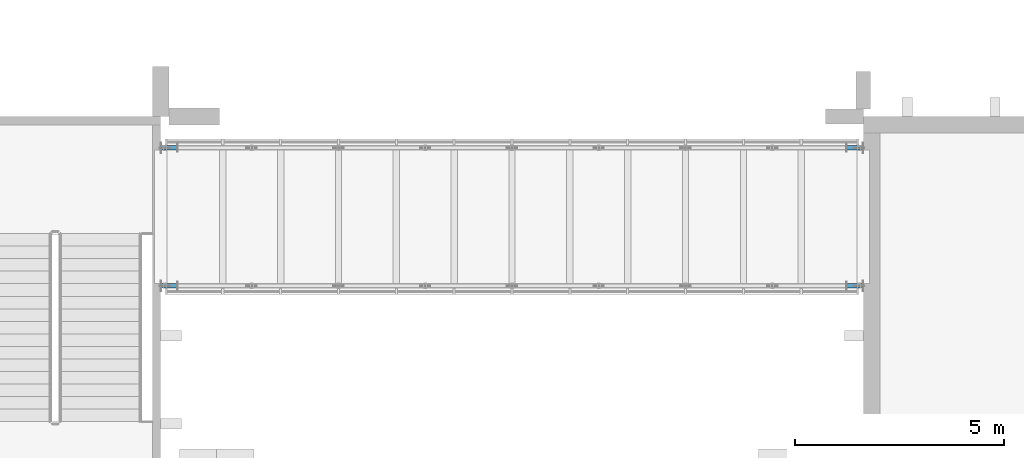
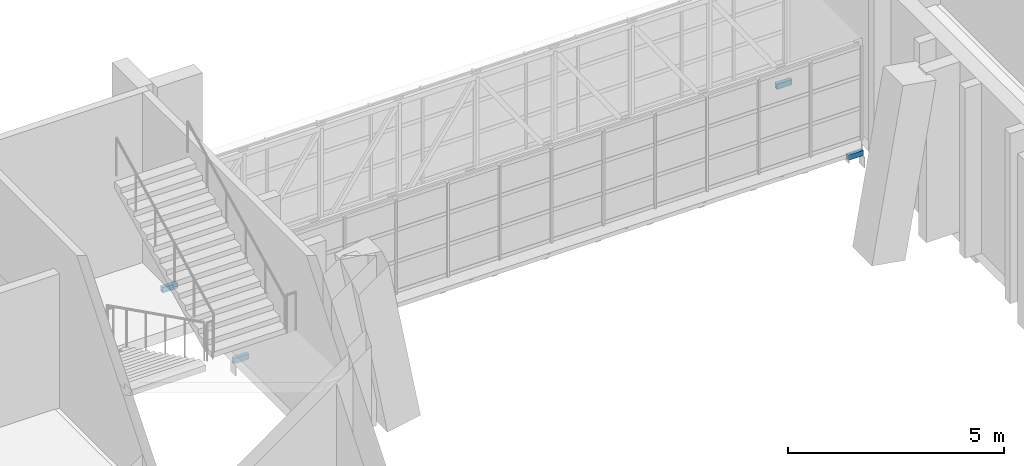
# One storey, part 19 of 91: 4 beams.
"""IFC4 building model written with IfcOpenShell, lengths in metres."""

from ifc_helpers import new_model, si_unit, direction, frame, origin, origin_2d, place, context, subcontext, project, spatial, hollow_rectangle, extrude, material, material_profile, profile_set, type_object, element, save


model = new_model("IFC4")

# Units and contexts
model_context = context("Model", 3, precision=1e-05, world=origin(), true_north=direction((0.0, 1.0)))
body_context = subcontext(model_context, "Body", "Model", "MODEL_VIEW")
ifc_project = project(units=[si_unit("LENGTHUNIT", "METRE"), si_unit("AREAUNIT", "SQUARE_METRE"), si_unit("VOLUMEUNIT", "CUBIC_METRE"), si_unit("PLANEANGLEUNIT", "RADIAN"), si_unit("MASSUNIT", "GRAM", prefix="KILO")], contexts=[model_context])

# Site, building, storey
site_placement = place(None, origin())
site = spatial("IfcSite", under=ifc_project, at=site_placement, CompositionType="ELEMENT")
building_placement = place(site_placement, origin())
building = spatial("IfcBuilding", under=site, at=building_placement, Name="Kiln Court Media Centre", CompositionType="ELEMENT")
storey_placement = place(building_placement, frame((0.0, 0.0, 5.39990234375)))
storey = spatial("IfcBuildingStorey", under=building, at=storey_placement, Name="L01", CompositionType="ELEMENT", Elevation=5.39990234375)

# Beams
ifc_material = material(Name="Steel ASTM A500 Gr C", Category="steel")
ifc_material_profile = material_profile(ifc_material, hollow_rectangle(XDim=0.10009765625, YDim=0.14990234375, WallThickness=0.008056640625, at=origin_2d()), Name="RHS 150x100x8.0")
ifc_profile_set = profile_set([ifc_material_profile], Name="Steel ASTM A500 Gr C")
beam_type = type_object("IfcBeamType", Name="Steel ASTM A500 Gr C RHS 150x100x8.0 bridge bearing seat beam", PredefinedType="BEAM", material=ifc_profile_set)
for number, where, z_axis, x_axis, name in (
    (1, (100.7958984375, 63.14990234375, -0.494873046875), (1.0, 0.0, 0.0), (0.0, 1.0, 0.0), "bridge BR-3 side truss 1 end 1 bridge bearing seat beam"),
    (2, (117.60400390625, 63.14990234375, -0.494873046875), (-1.0, 0.0, 0.0), (0.0, -1.0, 0.0), "bridge BR-3 side truss 1 end 2 bridge bearing seat beam"),
    (3, (100.7958984375, 66.449951171875, -0.494873046875), (1.0, 0.0, 0.0), (0.0, 1.0, 0.0), "bridge BR-3 side truss 2 end 1 bridge bearing seat beam"),
    (4, (117.60400390625, 66.449951171875, -0.494873046875), (-1.0, 0.0, 0.0), (0.0, -1.0, 0.0), "bridge BR-3 side truss 2 end 2 bridge bearing seat beam"),
):
    element("IfcBeam", number, at=place(storey_placement, frame(where, z_axis=z_axis, x_axis=x_axis)), inside=storey, type_object=beam_type, Name=name, PredefinedType="BEAM", context=body_context, shape_type="SweptSolid", body=[
        extrude(hollow_rectangle(XDim=0.10009765625, YDim=0.14990234375, WallThickness=0.008056640625, at=origin_2d()), origin(), (0.0, 0.0, 1.0), 0.404052734375),
    ])

save(model, "model.ifc")
